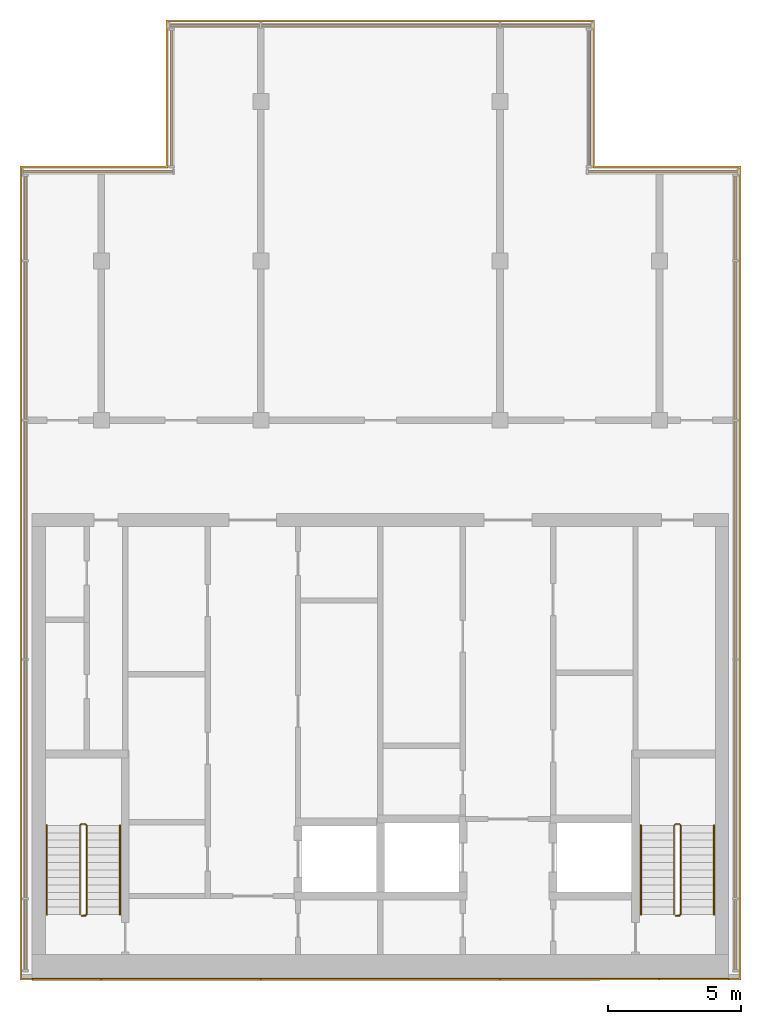
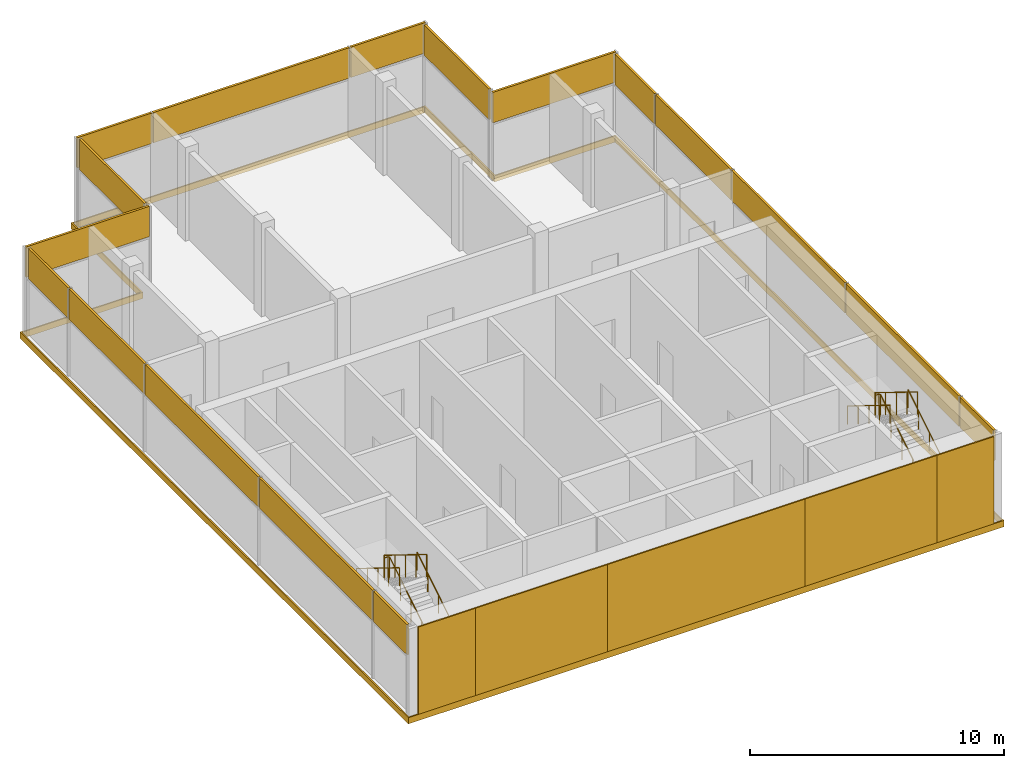
# One storey, part 5 of 5: 17 shading devices, 6 coverings, 6 railings, 7 elements without a shape of their own.
"""IFC4 building model written with IfcOpenShell, lengths in metres."""

from ifc_helpers import new_model, si_unit, direction, frame, origin, origin_2d, place, context, subcontext, project, spatial, polyline, rectangle, circle, outline, extrude, material, layer, layer_set, type_object, element, aggregate, save


model = new_model("IFC4")

# Units and contexts
model_context = context("Model", 3, precision=1e-05, world=origin(), true_north=direction((0.0, 1.0)))
body_context = subcontext(model_context, "Body", "Model", "MODEL_VIEW")
ifc_project = project(units=[si_unit("LENGTHUNIT", "METRE"), si_unit("AREAUNIT", "SQUARE_METRE"), si_unit("VOLUMEUNIT", "CUBIC_METRE"), si_unit("PLANEANGLEUNIT", "RADIAN"), si_unit("MASSUNIT", "GRAM", prefix="KILO")], contexts=[model_context])

# Site, building, storey
site_placement = place(None, origin())
site = spatial("IfcSite", under=ifc_project, at=site_placement, CompositionType="ELEMENT")
building_placement = place(site_placement, origin())
building = spatial("IfcBuilding", under=site, at=building_placement, Name="Finial Court Residences", CompositionType="ELEMENT")
storey_placement = place(building_placement, frame((0.0, 0.0, 316.699951171875)))
storey = spatial("IfcBuildingStorey", under=building, at=storey_placement, Name="L80", CompositionType="ELEMENT", Elevation=316.699951171875)

# Curtain wall, shading devices
ifc_material_1 = material(Name="Bronze anodised aluminium", Category="aluminium")
curtain_wall_type = type_object("IfcCurtainWallType", Name="Crown lantern glazing", PredefinedType="NOTDEFINED", material=ifc_material_1)
curtain_wall_1_placement = place(storey_placement, origin())
curtain_wall_1 = element("IfcCurtainWall", 1, at=curtain_wall_1_placement, inside=storey, type_object=curtain_wall_type, Name="E-L80-CW-N3", PredefinedType="NOTDEFINED")
ifc_layer_1 = layer(ifc_material_1, 0.10009765625)
ifc_layer_set_1 = layer_set([ifc_layer_1], Name="CW6 louvre panel 100")
shading_device_type = type_object("IfcShadingDeviceType", Name="CW6 louvre panel 100", PredefinedType="USERDEFINED", material=ifc_layer_set_1)
shading_device_1_placement = place(storey_placement, frame((-6.232421875, 10.35009765625, 2.73486328125), z_axis=(0.0, 0.0, 1.0), x_axis=(1.0, 0.0, 0.0)))
shading_device_1 = element("IfcShadingDevice", 2, at=shading_device_1_placement, type_object=shading_device_type, Name="CW6 louvre 1.2", ObjectType="LOUVRE", PredefinedType="USERDEFINED", context=body_context, shape_type="SweptSolid", body=[
    extrude(rectangle(XDim=3.39501953125, YDim=0.10009765625, at=origin_2d()), origin(), (0.0, 0.0, 1.0), 1.465087890625),
])
shading_device_2_placement = place(storey_placement, frame((0.0, 10.35009765625, 2.73486328125), z_axis=(0.0, 0.0, 1.0), x_axis=(1.0, 0.0, 0.0)))
shading_device_2 = element("IfcShadingDevice", 3, at=shading_device_2_placement, type_object=shading_device_type, Name="CW6 louvre 2.2", ObjectType="LOUVRE", PredefinedType="USERDEFINED", context=body_context, shape_type="SweptSolid", body=[
    extrude(rectangle(XDim=8.929931640625, YDim=0.10009765625, at=origin_2d()), origin(), (0.0, 0.0, 1.0), 1.465087890625),
])
shading_device_3_placement = place(storey_placement, frame((6.232421875, 10.35009765625, 2.73486328125), z_axis=(0.0, 0.0, 1.0), x_axis=(1.0, 0.0, 0.0)))
shading_device_3 = element("IfcShadingDevice", 4, at=shading_device_3_placement, type_object=shading_device_type, Name="CW6 louvre 3.2", ObjectType="LOUVRE", PredefinedType="USERDEFINED", context=body_context, shape_type="SweptSolid", body=[
    extrude(rectangle(XDim=3.39501953125, YDim=0.10009765625, at=origin_2d()), origin(), (0.0, 0.0, 1.0), 1.465087890625),
])
aggregate(curtain_wall_1, [shading_device_1, shading_device_2, shading_device_3])

curtain_wall_2_placement = place(storey_placement, origin())
curtain_wall_2 = element("IfcCurtainWall", 5, at=curtain_wall_2_placement, inside=storey, type_object=curtain_wall_type, Name="E-L80-CW-E4", PredefinedType="NOTDEFINED")
shading_device_4_placement = place(storey_placement, frame((13.35009765625, -23.857421875, 2.73486328125), z_axis=(0.0, 0.0, 1.0), x_axis=(0.0, 1.0, 0.0)))
shading_device_4 = element("IfcShadingDevice", 6, at=shading_device_4_placement, type_object=shading_device_type, Name="CW6 louvre 1.2", ObjectType="LOUVRE", PredefinedType="USERDEFINED", context=body_context, shape_type="SweptSolid", body=[
    extrude(rectangle(XDim=2.64501953125, YDim=0.10009765625, at=origin_2d()), origin(), (0.0, 0.0, 1.0), 1.465087890625),
])
shading_device_5_placement = place(storey_placement, frame((13.35009765625, -18.0, 2.73486328125), z_axis=(0.0, 0.0, 1.0), x_axis=(0.0, 1.0, 0.0)))
shading_device_5 = element("IfcShadingDevice", 7, at=shading_device_5_placement, type_object=shading_device_type, Name="CW6 louvre 2.2", ObjectType="LOUVRE", PredefinedType="USERDEFINED", context=body_context, shape_type="SweptSolid", body=[
    extrude(rectangle(XDim=8.929931640625, YDim=0.10009765625, at=origin_2d()), origin(), (0.0, 0.0, 1.0), 1.465087890625),
])
shading_device_6_placement = place(storey_placement, frame((13.35009765625, -9.0, 2.73486328125), z_axis=(0.0, 0.0, 1.0), x_axis=(0.0, 1.0, 0.0)))
shading_device_6 = element("IfcShadingDevice", 8, at=shading_device_6_placement, type_object=shading_device_type, Name="CW6 louvre 3.2", ObjectType="LOUVRE", PredefinedType="USERDEFINED", context=body_context, shape_type="SweptSolid", body=[
    extrude(rectangle(XDim=8.929931640625, YDim=0.10009765625, at=origin_2d()), origin(), (0.0, 0.0, 1.0), 1.465087890625),
])
shading_device_7_placement = place(storey_placement, frame((13.35009765625, -1.5, 2.73486328125), z_axis=(0.0, 0.0, 1.0), x_axis=(0.0, 1.0, 0.0)))
shading_device_7 = element("IfcShadingDevice", 9, at=shading_device_7_placement, type_object=shading_device_type, Name="CW6 louvre 4.2", ObjectType="LOUVRE", PredefinedType="USERDEFINED", context=body_context, shape_type="SweptSolid", body=[
    extrude(rectangle(XDim=5.929931640625, YDim=0.10009765625, at=origin_2d()), origin(), (0.0, 0.0, 1.0), 1.465087890625),
])
shading_device_8_placement = place(storey_placement, frame((13.35009765625, 3.107421875, 2.73486328125), z_axis=(0.0, 0.0, 1.0), x_axis=(0.0, 1.0, 0.0)))
shading_device_8 = element("IfcShadingDevice", 10, at=shading_device_8_placement, type_object=shading_device_type, Name="CW6 louvre 5.2", ObjectType="LOUVRE", PredefinedType="USERDEFINED", context=body_context, shape_type="SweptSolid", body=[
    extrude(rectangle(XDim=3.14501953125, YDim=0.10009765625, at=origin_2d()), origin(), (0.0, 0.0, 1.0), 1.465087890625),
])
aggregate(curtain_wall_2, [shading_device_4, shading_device_5, shading_device_6, shading_device_7, shading_device_8])

curtain_wall_3_placement = place(storey_placement, origin())
curtain_wall_3 = element("IfcCurtainWall", 11, at=curtain_wall_3_placement, inside=storey, type_object=curtain_wall_type, Name="E-L80-CW-W5", PredefinedType="NOTDEFINED")
shading_device_9_placement = place(storey_placement, frame((-13.35009765625, -23.857421875, 2.73486328125), z_axis=(0.0, 0.0, 1.0), x_axis=(0.0, 1.0, 0.0)))
shading_device_9 = element("IfcShadingDevice", 12, at=shading_device_9_placement, type_object=shading_device_type, Name="CW6 louvre 1.2", ObjectType="LOUVRE", PredefinedType="USERDEFINED", context=body_context, shape_type="SweptSolid", body=[
    extrude(rectangle(XDim=2.64501953125, YDim=0.10009765625, at=origin_2d()), origin(), (0.0, 0.0, 1.0), 1.465087890625),
])
shading_device_10_placement = place(storey_placement, frame((-13.35009765625, -18.0, 2.73486328125), z_axis=(0.0, 0.0, 1.0), x_axis=(0.0, 1.0, 0.0)))
shading_device_10 = element("IfcShadingDevice", 13, at=shading_device_10_placement, type_object=shading_device_type, Name="CW6 louvre 2.2", ObjectType="LOUVRE", PredefinedType="USERDEFINED", context=body_context, shape_type="SweptSolid", body=[
    extrude(rectangle(XDim=8.929931640625, YDim=0.10009765625, at=origin_2d()), origin(), (0.0, 0.0, 1.0), 1.465087890625),
])
shading_device_11_placement = place(storey_placement, frame((-13.35009765625, -9.0, 2.73486328125), z_axis=(0.0, 0.0, 1.0), x_axis=(0.0, 1.0, 0.0)))
shading_device_11 = element("IfcShadingDevice", 14, at=shading_device_11_placement, type_object=shading_device_type, Name="CW6 louvre 3.2", ObjectType="LOUVRE", PredefinedType="USERDEFINED", context=body_context, shape_type="SweptSolid", body=[
    extrude(rectangle(XDim=8.929931640625, YDim=0.10009765625, at=origin_2d()), origin(), (0.0, 0.0, 1.0), 1.465087890625),
])
shading_device_12_placement = place(storey_placement, frame((-13.35009765625, -1.5, 2.73486328125), z_axis=(0.0, 0.0, 1.0), x_axis=(0.0, 1.0, 0.0)))
shading_device_12 = element("IfcShadingDevice", 15, at=shading_device_12_placement, type_object=shading_device_type, Name="CW6 louvre 4.2", ObjectType="LOUVRE", PredefinedType="USERDEFINED", context=body_context, shape_type="SweptSolid", body=[
    extrude(rectangle(XDim=5.929931640625, YDim=0.10009765625, at=origin_2d()), origin(), (0.0, 0.0, 1.0), 1.465087890625),
])
shading_device_13_placement = place(storey_placement, frame((-13.35009765625, 3.107421875, 2.73486328125), z_axis=(0.0, 0.0, 1.0), x_axis=(0.0, 1.0, 0.0)))
shading_device_13 = element("IfcShadingDevice", 16, at=shading_device_13_placement, type_object=shading_device_type, Name="CW6 louvre 5.2", ObjectType="LOUVRE", PredefinedType="USERDEFINED", context=body_context, shape_type="SweptSolid", body=[
    extrude(rectangle(XDim=3.14501953125, YDim=0.10009765625, at=origin_2d()), origin(), (0.0, 0.0, 1.0), 1.465087890625),
])
aggregate(curtain_wall_3, [shading_device_9, shading_device_10, shading_device_11, shading_device_12, shading_device_13])

# Curtain wall, shading device
curtain_wall_4_placement = place(storey_placement, origin())
curtain_wall_4 = element("IfcCurtainWall", 17, at=curtain_wall_4_placement, inside=storey, type_object=curtain_wall_type, Name="E-L80-CW-W6n", PredefinedType="NOTDEFINED")
shading_device_14_placement = place(storey_placement, frame((-7.85009765625, 7.625, 2.73486328125), z_axis=(0.0, 0.0, 1.0), x_axis=(0.0, 1.0, 0.0)))
shading_device_14 = element("IfcShadingDevice", 18, at=shading_device_14_placement, type_object=shading_device_type, Name="CW6 louvre 1.2", ObjectType="LOUVRE", PredefinedType="USERDEFINED", context=body_context, shape_type="SweptSolid", body=[
    extrude(rectangle(XDim=5.110107421875, YDim=0.10009765625, at=origin_2d()), origin(), (0.0, 0.0, 1.0), 1.465087890625),
])
aggregate(curtain_wall_4, [shading_device_14])

curtain_wall_5_placement = place(storey_placement, origin())
curtain_wall_5 = element("IfcCurtainWall", 19, at=curtain_wall_5_placement, inside=storey, type_object=curtain_wall_type, Name="E-L80-CW-N7n", PredefinedType="NOTDEFINED")
shading_device_15_placement = place(storey_placement, frame((-10.625, 4.85009765625, 2.73486328125), z_axis=(0.0, 0.0, 1.0), x_axis=(1.0, 0.0, 0.0)))
shading_device_15 = element("IfcShadingDevice", 20, at=shading_device_15_placement, type_object=shading_device_type, Name="CW6 louvre 1.2", ObjectType="LOUVRE", PredefinedType="USERDEFINED", context=body_context, shape_type="SweptSolid", body=[
    extrude(rectangle(XDim=5.610107421875, YDim=0.10009765625, at=origin_2d()), origin(), (0.0, 0.0, 1.0), 1.465087890625),
])
aggregate(curtain_wall_5, [shading_device_15])

curtain_wall_6_placement = place(storey_placement, origin())
curtain_wall_6 = element("IfcCurtainWall", 21, at=curtain_wall_6_placement, inside=storey, type_object=curtain_wall_type, Name="E-L80-CW-E8n", PredefinedType="NOTDEFINED")
shading_device_16_placement = place(storey_placement, frame((7.85009765625, 7.625, 2.73486328125), z_axis=(0.0, 0.0, 1.0), x_axis=(0.0, 1.0, 0.0)))
shading_device_16 = element("IfcShadingDevice", 22, at=shading_device_16_placement, type_object=shading_device_type, Name="CW6 louvre 1.2", ObjectType="LOUVRE", PredefinedType="USERDEFINED", context=body_context, shape_type="SweptSolid", body=[
    extrude(rectangle(XDim=5.110107421875, YDim=0.10009765625, at=origin_2d()), origin(), (0.0, 0.0, 1.0), 1.465087890625),
])
aggregate(curtain_wall_6, [shading_device_16])

curtain_wall_7_placement = place(storey_placement, origin())
curtain_wall_7 = element("IfcCurtainWall", 23, at=curtain_wall_7_placement, inside=storey, type_object=curtain_wall_type, Name="E-L80-CW-N9n", PredefinedType="NOTDEFINED")
shading_device_17_placement = place(storey_placement, frame((10.625, 4.85009765625, 2.73486328125), z_axis=(0.0, 0.0, 1.0), x_axis=(1.0, 0.0, 0.0)))
shading_device_17 = element("IfcShadingDevice", 24, at=shading_device_17_placement, type_object=shading_device_type, Name="CW6 louvre 1.2", ObjectType="LOUVRE", PredefinedType="USERDEFINED", context=body_context, shape_type="SweptSolid", body=[
    extrude(rectangle(XDim=5.610107421875, YDim=0.10009765625, at=origin_2d()), origin(), (0.0, 0.0, 1.0), 1.465087890625),
])
aggregate(curtain_wall_7, [shading_device_17])

# Coverings
ifc_material_2 = material(Name="Natural limestone", Category="masonry")
ifc_layer_2 = layer(ifc_material_2, 0.06005859375)
ifc_layer_set_2 = layer_set([ifc_layer_2], Name="Limestone cladding to the blind core face 60")
covering_type_1 = type_object("IfcCoveringType", Name="Limestone cladding to the blind core face 60", PredefinedType="CLADDING", material=ifc_layer_set_2)
covering_1_placement = place(storey_placement, origin())
element("IfcCovering", 25, at=covering_1_placement, inside=storey, type_object=covering_type_1, Name="E-L80-CLAD1", PredefinedType="CLADDING", context=body_context, shape_type="SweptSolid", body=[
    extrude(outline(polyline([(-10.5, -25.56005859375), (-10.5, -25.5), (-13.10009765625, -25.5), (-13.10009765625, -25.56005859375), (-10.5, -25.56005859375)])), origin(), (0.0, 0.0, 1.0), 4.199951171875),
])
covering_2_placement = place(storey_placement, origin())
element("IfcCovering", 26, at=covering_2_placement, inside=storey, type_object=covering_type_1, Name="E-L80-CLAD2", PredefinedType="CLADDING", context=body_context, shape_type="SweptSolid", body=[
    extrude(outline(polyline([(-4.5, -25.56005859375), (-4.5, -25.5), (-10.5, -25.5), (-10.5, -25.56005859375), (-4.5, -25.56005859375)])), origin(), (0.0, 0.0, 1.0), 4.199951171875),
])
covering_3_placement = place(storey_placement, origin())
element("IfcCovering", 27, at=covering_3_placement, inside=storey, type_object=covering_type_1, Name="E-L80-CLAD3", PredefinedType="CLADDING", context=body_context, shape_type="SweptSolid", body=[
    extrude(outline(polyline([(4.5, -25.56005859375), (4.5, -25.5), (-4.5, -25.5), (-4.5, -25.56005859375), (4.5, -25.56005859375)])), origin(), (0.0, 0.0, 1.0), 4.199951171875),
])
covering_4_placement = place(storey_placement, origin())
element("IfcCovering", 28, at=covering_4_placement, inside=storey, type_object=covering_type_1, Name="E-L80-CLAD4", PredefinedType="CLADDING", context=body_context, shape_type="SweptSolid", body=[
    extrude(outline(polyline([(10.5, -25.56005859375), (10.5, -25.5), (4.5, -25.5), (4.5, -25.56005859375), (10.5, -25.56005859375)])), origin(), (0.0, 0.0, 1.0), 4.199951171875),
])
covering_5_placement = place(storey_placement, origin())
element("IfcCovering", 29, at=covering_5_placement, inside=storey, type_object=covering_type_1, Name="E-L80-CLAD5", PredefinedType="CLADDING", context=body_context, shape_type="SweptSolid", body=[
    extrude(outline(polyline([(13.10009765625, -25.56005859375), (13.10009765625, -25.5), (10.5, -25.5), (10.5, -25.56005859375), (13.10009765625, -25.56005859375)])), origin(), (0.0, 0.0, 1.0), 4.199951171875),
])
ifc_material_3 = material(Name="Pale limestone", Category="masonry")
ifc_layer_3 = layer(ifc_material_3, 0.06005859375)
ifc_layer_set_3 = layer_set([ifc_layer_3], Name="Pale limestone slab-edge band 60")
covering_type_2 = type_object("IfcCoveringType", Name="Pale limestone slab-edge band 60", PredefinedType="CLADDING", material=ifc_layer_set_3)
covering_6_placement = place(storey_placement, frame((0.0, 0.0, -0.300048828125)))
element("IfcCovering", 30, at=covering_6_placement, inside=storey, type_object=covering_type_2, Name="E-L80-BAND1", PredefinedType="CLADDING", context=body_context, shape_type="SweptSolid", body=[
    extrude(outline(polyline([(-13.56005859375, -25.56005859375), (-13.56005859375, 5.06005859375), (-8.06005859375, 5.06005859375), (-8.06005859375, 10.56005859375), (8.06005859375, 10.56005859375), (8.06005859375, 5.06005859375), (13.56005859375, 5.06005859375), (13.56005859375, -25.56005859375), (-13.56005859375, -25.56005859375)]), holes=[polyline([(13.5, 5.0), (8.0, 5.0), (8.0, 10.5), (-8.0, 10.5), (-8.0, 5.0), (-13.5, 5.0), (-13.5, -25.5), (13.5, -25.5), (13.5, 5.0)])]), origin(), (0.0, 0.0, 1.0), 0.300048828125),
])

# Railings
ifc_material_4 = material(Name="Stainless steel railing", Category="steel")
railing_type_1 = type_object("IfcRailingType", Name="Stair guard 1100", PredefinedType="GUARDRAIL", material=ifc_material_4)
railing_1_placement = place(storey_placement, frame((-11.10009765625, -23.14990234375, 0.0)))
element("IfcRailing", 31, at=railing_1_placement, inside=storey, type_object=railing_type_1, Name="L80 ST-1 stair guard 1", PredefinedType="GUARDRAIL", context=body_context, shape_type="SweptSolid", body=[
    extrude(circle(Radius=0.02392578125, at=origin_2d()), frame((0.0, 0.0, 1.076171875), z_axis=(-1.0, 0.0, 0.0), x_axis=(0.0, -1.0, 0.0)), (0.0, 0.0, 1.0), 0.14990234375),
    extrude(circle(Radius=0.02392578125, at=origin_2d()), frame((-0.14990234375, 0.0, 1.076171875), z_axis=(0.742994154839, 0.185068141132, 0.643202510111), x_axis=(-0.241699205484, 0.970351222016, 0.0)), (0.0, 0.0, 1.0), 0.26904296875),
    extrude(circle(Radius=0.02392578125, at=origin_2d()), frame((0.050048828125, 0.0498046875, 1.2490234375), z_axis=(0.0, 0.850623216509, 0.525775754039), x_axis=(-1.0, 0.0, 0.0)), (0.0, 0.0, 1.0), 3.9501953125),
    extrude(circle(Radius=0.02392578125, at=origin_2d()), frame((0.050048828125, 3.409912109375, 3.326171875), z_axis=(-0.707106781187, 0.707106781187, 0.0), x_axis=(-0.707106781187, -0.707106781187, 0.0)), (0.0, 0.0, 1.0), 0.07080078125),
    extrude(circle(Radius=0.02392578125, at=origin_2d()), frame((0.0, 3.4599609375, 3.326171875), z_axis=(-1.0, 0.0, 0.0), x_axis=(0.0, -1.0, 0.0)), (0.0, 0.0, 1.0), 0.14990234375),
    extrude(circle(Radius=0.02392578125, at=origin_2d()), frame((-0.14990234375, 3.4599609375, 3.326171875), z_axis=(-0.267629722418, -0.267629722418, 0.925607186314), x_axis=(0.707106781187, -0.707106781187, 0.0)), (0.0, 0.0, 1.0), 0.18701171875),
    extrude(circle(Radius=0.02392578125, at=origin_2d()), frame((-0.199951171875, 3.409912109375, 3.4990234375), z_axis=(0.0, -0.850623216509, 0.525775754039), x_axis=(1.0, 0.0, 0.0)), (0.0, 0.0, 1.0), 3.9501953125),
    extrude(circle(Radius=0.02099609375, at=origin_2d()), origin(), (0.0, 0.0, 1.0), 1.052001953125),
    extrude(circle(Radius=0.02099609375, at=origin_2d()), frame((-0.14990234375, 0.0, 0.0)), (0.0, 0.0, 1.0), 1.052001953125),
    extrude(circle(Radius=0.02099609375, at=origin_2d()), frame((0.050048828125, 0.0498046875, 0.173095703125)), (0.0, 0.0, 1.0), 1.052001953125),
    extrude(circle(Radius=0.02099609375, at=origin_2d()), frame((0.050048828125, 0.889892578125, 0.6923828125)), (0.0, 0.0, 1.0), 1.052001953125),
    extrude(circle(Radius=0.02099609375, at=origin_2d()), frame((0.050048828125, 1.72998046875, 1.21142578125)), (0.0, 0.0, 1.0), 1.052001953125),
    extrude(circle(Radius=0.02099609375, at=origin_2d()), frame((0.050048828125, 2.56982421875, 1.730712890625)), (0.0, 0.0, 1.0), 1.052001953125),
    extrude(circle(Radius=0.02099609375, at=origin_2d()), frame((0.050048828125, 3.409912109375, 2.25)), (0.0, 0.0, 1.0), 1.052001953125),
    extrude(circle(Radius=0.02099609375, at=origin_2d()), frame((0.0, 3.4599609375, 2.25)), (0.0, 0.0, 1.0), 1.052001953125),
    extrude(circle(Radius=0.02099609375, at=origin_2d()), frame((-0.14990234375, 3.4599609375, 2.25)), (0.0, 0.0, 1.0), 1.052001953125),
    extrude(circle(Radius=0.02099609375, at=origin_2d()), frame((-0.199951171875, 3.409912109375, 2.423095703125)), (0.0, 0.0, 1.0), 1.052001953125),
    extrude(circle(Radius=0.02099609375, at=origin_2d()), frame((-0.199951171875, 2.56982421875, 2.9423828125)), (0.0, 0.0, 1.0), 1.052001953125),
    extrude(circle(Radius=0.02099609375, at=origin_2d()), frame((-0.199951171875, 1.72998046875, 3.46142578125)), (0.0, 0.0, 1.0), 1.052001953125),
    extrude(circle(Radius=0.02099609375, at=origin_2d()), frame((-0.199951171875, 0.889892578125, 3.980712890625)), (0.0, 0.0, 1.0), 1.052001953125),
    extrude(circle(Radius=0.02099609375, at=origin_2d()), frame((-0.199951171875, 0.0498046875, 4.5)), (0.0, 0.0, 1.0), 1.052001953125),
])
railing_2_placement = place(storey_placement, frame((11.25, -23.14990234375, 0.0)))
element("IfcRailing", 32, at=railing_2_placement, inside=storey, type_object=railing_type_1, Name="L80 ST-2 stair guard 1", PredefinedType="GUARDRAIL", context=body_context, shape_type="SweptSolid", body=[
    extrude(circle(Radius=0.02392578125, at=origin_2d()), frame((0.0, 0.0, 1.076171875), z_axis=(-1.0, 0.0, 0.0), x_axis=(0.0, -1.0, 0.0)), (0.0, 0.0, 1.0), 0.14990234375),
    extrude(circle(Radius=0.02392578125, at=origin_2d()), frame((-0.14990234375, 0.0, 1.076171875), z_axis=(0.742994154839, 0.185068141132, 0.643202510111), x_axis=(-0.241699205484, 0.970351222016, 0.0)), (0.0, 0.0, 1.0), 0.26904296875),
    extrude(circle(Radius=0.02392578125, at=origin_2d()), frame((0.050048828125, 0.0498046875, 1.2490234375), z_axis=(0.0, 0.850623216509, 0.525775754039), x_axis=(-1.0, 0.0, 0.0)), (0.0, 0.0, 1.0), 3.9501953125),
    extrude(circle(Radius=0.02392578125, at=origin_2d()), frame((0.050048828125, 3.409912109375, 3.326171875), z_axis=(-0.707106781187, 0.707106781187, 0.0), x_axis=(-0.707106781187, -0.707106781187, 0.0)), (0.0, 0.0, 1.0), 0.07080078125),
    extrude(circle(Radius=0.02392578125, at=origin_2d()), frame((0.0, 3.4599609375, 3.326171875), z_axis=(-1.0, 0.0, 0.0), x_axis=(0.0, -1.0, 0.0)), (0.0, 0.0, 1.0), 0.14990234375),
    extrude(circle(Radius=0.02392578125, at=origin_2d()), frame((-0.14990234375, 3.4599609375, 3.326171875), z_axis=(-0.267629722418, -0.267629722418, 0.925607186314), x_axis=(0.707106781187, -0.707106781187, 0.0)), (0.0, 0.0, 1.0), 0.18701171875),
    extrude(circle(Radius=0.02392578125, at=origin_2d()), frame((-0.199951171875, 3.409912109375, 3.4990234375), z_axis=(0.0, -0.850623216509, 0.525775754039), x_axis=(1.0, 0.0, 0.0)), (0.0, 0.0, 1.0), 3.9501953125),
    extrude(circle(Radius=0.02099609375, at=origin_2d()), origin(), (0.0, 0.0, 1.0), 1.052001953125),
    extrude(circle(Radius=0.02099609375, at=origin_2d()), frame((-0.14990234375, 0.0, 0.0)), (0.0, 0.0, 1.0), 1.052001953125),
    extrude(circle(Radius=0.02099609375, at=origin_2d()), frame((0.050048828125, 0.0498046875, 0.173095703125)), (0.0, 0.0, 1.0), 1.052001953125),
    extrude(circle(Radius=0.02099609375, at=origin_2d()), frame((0.050048828125, 0.889892578125, 0.6923828125)), (0.0, 0.0, 1.0), 1.052001953125),
    extrude(circle(Radius=0.02099609375, at=origin_2d()), frame((0.050048828125, 1.72998046875, 1.21142578125)), (0.0, 0.0, 1.0), 1.052001953125),
    extrude(circle(Radius=0.02099609375, at=origin_2d()), frame((0.050048828125, 2.56982421875, 1.730712890625)), (0.0, 0.0, 1.0), 1.052001953125),
    extrude(circle(Radius=0.02099609375, at=origin_2d()), frame((0.050048828125, 3.409912109375, 2.25)), (0.0, 0.0, 1.0), 1.052001953125),
    extrude(circle(Radius=0.02099609375, at=origin_2d()), frame((0.0, 3.4599609375, 2.25)), (0.0, 0.0, 1.0), 1.052001953125),
    extrude(circle(Radius=0.02099609375, at=origin_2d()), frame((-0.14990234375, 3.4599609375, 2.25)), (0.0, 0.0, 1.0), 1.052001953125),
    extrude(circle(Radius=0.02099609375, at=origin_2d()), frame((-0.199951171875, 3.409912109375, 2.423095703125)), (0.0, 0.0, 1.0), 1.052001953125),
    extrude(circle(Radius=0.02099609375, at=origin_2d()), frame((-0.199951171875, 2.56982421875, 2.9423828125)), (0.0, 0.0, 1.0), 1.052001953125),
    extrude(circle(Radius=0.02099609375, at=origin_2d()), frame((-0.199951171875, 1.72998046875, 3.46142578125)), (0.0, 0.0, 1.0), 1.052001953125),
    extrude(circle(Radius=0.02099609375, at=origin_2d()), frame((-0.199951171875, 0.889892578125, 3.980712890625)), (0.0, 0.0, 1.0), 1.052001953125),
    extrude(circle(Radius=0.02099609375, at=origin_2d()), frame((-0.199951171875, 0.0498046875, 4.5)), (0.0, 0.0, 1.0), 1.052001953125),
])
railing_type_2 = type_object("IfcRailingType", Name="Stair handrail 900", PredefinedType="HANDRAIL", material=ifc_material_4)
railing_3_placement = place(storey_placement, frame((-9.800048828125, -23.10009765625, 0.173095703125)))
element("IfcRailing", 33, at=railing_3_placement, inside=storey, type_object=railing_type_2, Name="L80 ST-1 stair handrail 1", PredefinedType="HANDRAIL", context=body_context, shape_type="SweptSolid", body=[
    extrude(circle(Radius=0.02392578125, at=origin_2d()), frame((0.0, 0.0, 0.8759765625), z_axis=(0.0, 0.850623216509, 0.525775754039), x_axis=(-1.0, 0.0, 0.0)), (0.0, 0.0, 1.0), 3.9501953125),
    extrude(circle(Radius=0.02099609375, at=origin_2d()), origin(), (0.0, 0.0, 1.0), 0.851806640625),
    extrude(circle(Radius=0.02099609375, at=origin_2d()), frame((0.0, 0.840087890625, 0.519287109375)), (0.0, 0.0, 1.0), 0.851806640625),
    extrude(circle(Radius=0.02099609375, at=origin_2d()), frame((0.0, 1.68017578125, 1.03857421875)), (0.0, 0.0, 1.0), 0.851806640625),
    extrude(circle(Radius=0.02099609375, at=origin_2d()), frame((0.0, 2.52001953125, 1.5576171875)), (0.0, 0.0, 1.0), 0.851806640625),
    extrude(circle(Radius=0.02099609375, at=origin_2d()), frame((0.0, 3.360107421875, 2.076904296875)), (0.0, 0.0, 1.0), 0.851806640625),
])
railing_4_placement = place(storey_placement, frame((-12.550048828125, -19.739990234375, 2.423095703125)))
element("IfcRailing", 34, at=railing_4_placement, inside=storey, type_object=railing_type_2, Name="L80 ST-1 stair handrail 2", PredefinedType="HANDRAIL", context=body_context, shape_type="SweptSolid", body=[
    extrude(circle(Radius=0.02392578125, at=origin_2d()), frame((0.0, 0.0, 0.8759765625), z_axis=(0.0, -0.850623216509, 0.525775754039), x_axis=(1.0, 0.0, 0.0)), (0.0, 0.0, 1.0), 3.9501953125),
    extrude(circle(Radius=0.02099609375, at=origin_2d()), origin(), (0.0, 0.0, 1.0), 0.851806640625),
    extrude(circle(Radius=0.02099609375, at=origin_2d()), frame((0.0, -0.840087890625, 0.519287109375)), (0.0, 0.0, 1.0), 0.851806640625),
    extrude(circle(Radius=0.02099609375, at=origin_2d()), frame((0.0, -1.68017578125, 1.03857421875)), (0.0, 0.0, 1.0), 0.851806640625),
    extrude(circle(Radius=0.02099609375, at=origin_2d()), frame((0.0, -2.52001953125, 1.5576171875)), (0.0, 0.0, 1.0), 0.851806640625),
    extrude(circle(Radius=0.02099609375, at=origin_2d()), frame((0.0, -3.360107421875, 2.076904296875)), (0.0, 0.0, 1.0), 0.851806640625),
])
railing_5_placement = place(storey_placement, frame((12.550048828125, -23.10009765625, 0.173095703125)))
element("IfcRailing", 35, at=railing_5_placement, inside=storey, type_object=railing_type_2, Name="L80 ST-2 stair handrail 1", PredefinedType="HANDRAIL", context=body_context, shape_type="SweptSolid", body=[
    extrude(circle(Radius=0.02392578125, at=origin_2d()), frame((0.0, 0.0, 0.8759765625), z_axis=(0.0, 0.850623216509, 0.525775754039), x_axis=(-1.0, 0.0, 0.0)), (0.0, 0.0, 1.0), 3.9501953125),
    extrude(circle(Radius=0.02099609375, at=origin_2d()), origin(), (0.0, 0.0, 1.0), 0.851806640625),
    extrude(circle(Radius=0.02099609375, at=origin_2d()), frame((0.0, 0.840087890625, 0.519287109375)), (0.0, 0.0, 1.0), 0.851806640625),
    extrude(circle(Radius=0.02099609375, at=origin_2d()), frame((0.0, 1.68017578125, 1.03857421875)), (0.0, 0.0, 1.0), 0.851806640625),
    extrude(circle(Radius=0.02099609375, at=origin_2d()), frame((0.0, 2.52001953125, 1.5576171875)), (0.0, 0.0, 1.0), 0.851806640625),
    extrude(circle(Radius=0.02099609375, at=origin_2d()), frame((0.0, 3.360107421875, 2.076904296875)), (0.0, 0.0, 1.0), 0.851806640625),
])
railing_6_placement = place(storey_placement, frame((9.800048828125, -19.739990234375, 2.423095703125)))
element("IfcRailing", 36, at=railing_6_placement, inside=storey, type_object=railing_type_2, Name="L80 ST-2 stair handrail 2", PredefinedType="HANDRAIL", context=body_context, shape_type="SweptSolid", body=[
    extrude(circle(Radius=0.02392578125, at=origin_2d()), frame((0.0, 0.0, 0.8759765625), z_axis=(0.0, -0.850623216509, 0.525775754039), x_axis=(1.0, 0.0, 0.0)), (0.0, 0.0, 1.0), 3.9501953125),
    extrude(circle(Radius=0.02099609375, at=origin_2d()), origin(), (0.0, 0.0, 1.0), 0.851806640625),
    extrude(circle(Radius=0.02099609375, at=origin_2d()), frame((0.0, -0.840087890625, 0.519287109375)), (0.0, 0.0, 1.0), 0.851806640625),
    extrude(circle(Radius=0.02099609375, at=origin_2d()), frame((0.0, -1.68017578125, 1.03857421875)), (0.0, 0.0, 1.0), 0.851806640625),
    extrude(circle(Radius=0.02099609375, at=origin_2d()), frame((0.0, -2.52001953125, 1.5576171875)), (0.0, 0.0, 1.0), 0.851806640625),
    extrude(circle(Radius=0.02099609375, at=origin_2d()), frame((0.0, -3.360107421875, 2.076904296875)), (0.0, 0.0, 1.0), 0.851806640625),
])

save(model, "model.ifc")
